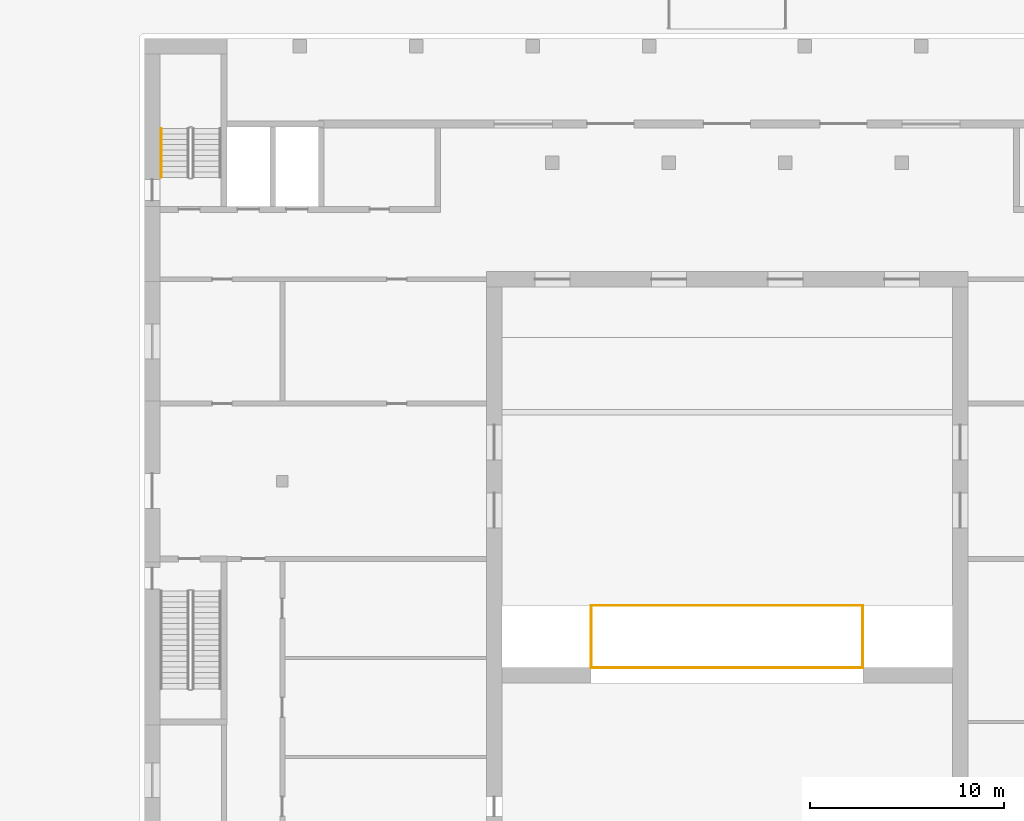
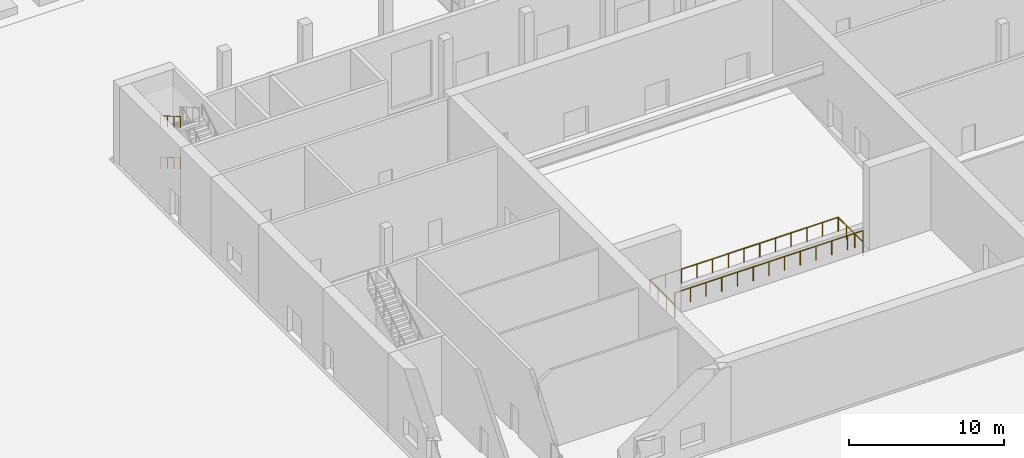
# One storey, part 42 of 51: 6 railings.
"""IFC4 building model written with IfcOpenShell, lengths in metres."""

from ifc_helpers import new_model, si_unit, direction, frame, origin, origin_2d, place, context, subcontext, project, spatial, circle, extrude, material, type_object, element, save


model = new_model("IFC4")

# Units and contexts
model_context = context("Model", 3, precision=1e-05, world=origin(), true_north=direction((0.0, 1.0)))
body_context = subcontext(model_context, "Body", "Model", "MODEL_VIEW")
ifc_project = project(units=[si_unit("LENGTHUNIT", "METRE"), si_unit("AREAUNIT", "SQUARE_METRE"), si_unit("VOLUMEUNIT", "CUBIC_METRE"), si_unit("PLANEANGLEUNIT", "RADIAN"), si_unit("MASSUNIT", "GRAM", prefix="KILO")], contexts=[model_context])

# Site, building, storey
site_placement = place(None, origin())
site = spatial("IfcSite", under=ifc_project, at=site_placement, CompositionType="ELEMENT")
building_placement = place(site_placement, origin())
building = spatial("IfcBuilding", under=site, at=building_placement, Name="Kiln Ring Residences", CompositionType="ELEMENT")
storey_placement = place(building_placement, origin())
storey = spatial("IfcBuildingStorey", under=building, at=storey_placement, Name="L00", CompositionType="ELEMENT", Elevation=0.0)

# Railings
ifc_material_1 = material(Name="Stainless steel", Category="steel")
railing_type_1 = type_object("IfcRailingType", Name="Hall orchestra pit guard 1100", PredefinedType="GUARDRAIL", material=ifc_material_1)
for number, where, name in (
    (1, (-7.0, -144.800048828125, 0.0), "Hall orchestra pit guard"),
    (2, (-7.0, -141.60009765625, -0.89990234375), "Hall orchestra pit guard"),
):
    element("IfcRailing", number, at=place(storey_placement, frame(where)), inside=storey, type_object=railing_type_1, Name=name, PredefinedType="GUARDRAIL", context=body_context, shape_type="SweptSolid", body=[
        extrude(circle(Radius=0.02392578125, at=origin_2d()), frame((0.0, 0.0, 1.076171875), z_axis=(1.0, 0.0, 0.0), x_axis=(0.0, 1.0, 0.0)), (0.0, 0.0, 1.0), 14.0),
        extrude(circle(Radius=0.02099609375, at=origin_2d()), origin(), (0.0, 0.0, 1.0), 1.052001953125),
        extrude(circle(Radius=0.02099609375, at=origin_2d()), frame((1.166748046875, 0.0, 0.0)), (0.0, 0.0, 1.0), 1.052001953125),
        extrude(circle(Radius=0.02099609375, at=origin_2d()), frame((2.333251953125, 0.0, 0.0)), (0.0, 0.0, 1.0), 1.052001953125),
        extrude(circle(Radius=0.02099609375, at=origin_2d()), frame((3.5, 0.0, 0.0)), (0.0, 0.0, 1.0), 1.052001953125),
        extrude(circle(Radius=0.02099609375, at=origin_2d()), frame((4.666748046875, 0.0, 0.0)), (0.0, 0.0, 1.0), 1.052001953125),
        extrude(circle(Radius=0.02099609375, at=origin_2d()), frame((5.833251953125, 0.0, 0.0)), (0.0, 0.0, 1.0), 1.052001953125),
        extrude(circle(Radius=0.02099609375, at=origin_2d()), frame((7.0, 0.0, 0.0)), (0.0, 0.0, 1.0), 1.052001953125),
        extrude(circle(Radius=0.02099609375, at=origin_2d()), frame((8.166748046875, 0.0, 0.0)), (0.0, 0.0, 1.0), 1.052001953125),
        extrude(circle(Radius=0.02099609375, at=origin_2d()), frame((9.333251953125, 0.0, 0.0)), (0.0, 0.0, 1.0), 1.052001953125),
        extrude(circle(Radius=0.02099609375, at=origin_2d()), frame((10.5, 0.0, 0.0)), (0.0, 0.0, 1.0), 1.052001953125),
        extrude(circle(Radius=0.02099609375, at=origin_2d()), frame((11.666748046875, 0.0, 0.0)), (0.0, 0.0, 1.0), 1.052001953125),
        extrude(circle(Radius=0.02099609375, at=origin_2d()), frame((12.833251953125, 0.0, 0.0)), (0.0, 0.0, 1.0), 1.052001953125),
        extrude(circle(Radius=0.02099609375, at=origin_2d()), frame((14.0, 0.0, 0.0)), (0.0, 0.0, 1.0), 1.052001953125),
    ])
for number, where, name in (
    (3, (-7.0, -144.800048828125, -0.89990234375), "Hall orchestra pit guard"),
    (4, (7.0, -144.800048828125, -0.89990234375), "Hall orchestra pit guard"),
):
    element("IfcRailing", number, at=place(storey_placement, frame(where)), inside=storey, type_object=railing_type_1, Name=name, PredefinedType="GUARDRAIL", context=body_context, shape_type="SweptSolid", body=[
        extrude(circle(Radius=0.02392578125, at=origin_2d()), frame((0.0, 0.0, 1.076171875), z_axis=(0.0, 1.0, 0.0), x_axis=(-1.0, 0.0, 0.0)), (0.0, 0.0, 1.0), 3.199951171875),
        extrude(circle(Radius=0.02099609375, at=origin_2d()), origin(), (0.0, 0.0, 1.0), 1.052001953125),
        extrude(circle(Radius=0.02099609375, at=origin_2d()), frame((0.0, 1.066650390625, 0.0)), (0.0, 0.0, 1.0), 1.052001953125),
        extrude(circle(Radius=0.02099609375, at=origin_2d()), frame((0.0, 2.13330078125, 0.0)), (0.0, 0.0, 1.0), 1.052001953125),
        extrude(circle(Radius=0.02099609375, at=origin_2d()), frame((0.0, 3.199951171875, 0.0)), (0.0, 0.0, 1.0), 1.052001953125),
    ])
ifc_material_2 = material(Name="Stainless steel", Category="steel")
railing_type_2 = type_object("IfcRailingType", Name="Hall stair handrail 900", PredefinedType="HANDRAIL", material=ifc_material_2)
for number, where, name in (
    (5, (-29.14990234375, -117.030029296875, 1.78759765625), "L00 HALL.ST1 stair handrail 2"),
    (6, (-29.14990234375, -117.030029296875, 5.03759765625), "L00 HALL.ST1 stair handrail 4"),
):
    element("IfcRailing", number, at=place(storey_placement, frame(where)), inside=storey, type_object=railing_type_2, Name=name, PredefinedType="HANDRAIL", context=body_context, shape_type="SweptSolid", body=[
        extrude(circle(Radius=0.02392578125, at=origin_2d()), frame((0.0, 0.0, 0.8759765625), z_axis=(0.0, -0.864913338283, 0.50192122615), x_axis=(1.0, 0.0, 0.0)), (0.0, 0.0, 1.0), 2.91357421875),
        extrude(circle(Radius=0.02099609375, at=origin_2d()), origin(), (0.0, 0.0, 1.0), 0.851806640625),
        extrude(circle(Radius=0.02099609375, at=origin_2d()), frame((0.0, -0.840087890625, 0.487548828125)), (0.0, 0.0, 1.0), 0.851806640625),
        extrude(circle(Radius=0.02099609375, at=origin_2d()), frame((0.0, -1.679931640625, 0.974853515625)), (0.0, 0.0, 1.0), 0.851806640625),
        extrude(circle(Radius=0.02099609375, at=origin_2d()), frame((0.0, -2.52001953125, 1.46240234375)), (0.0, 0.0, 1.0), 0.851806640625),
    ])

save(model, "model.ifc")
